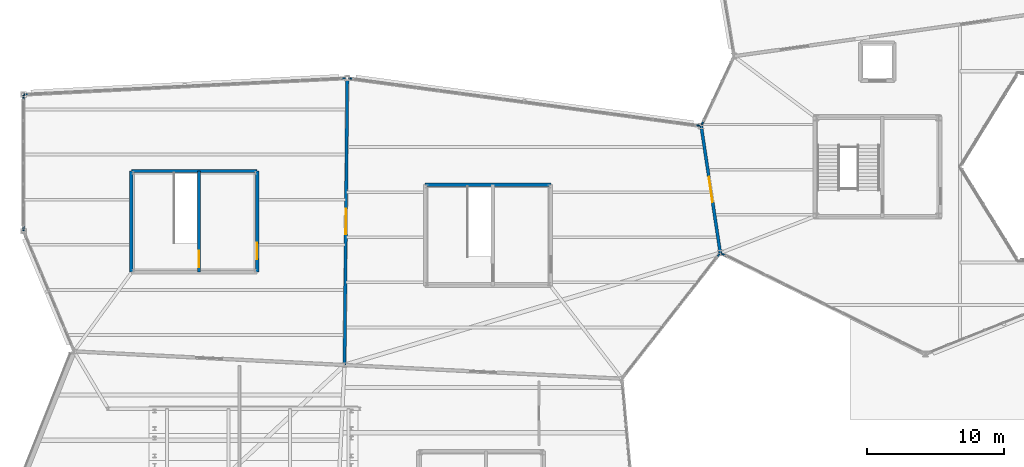
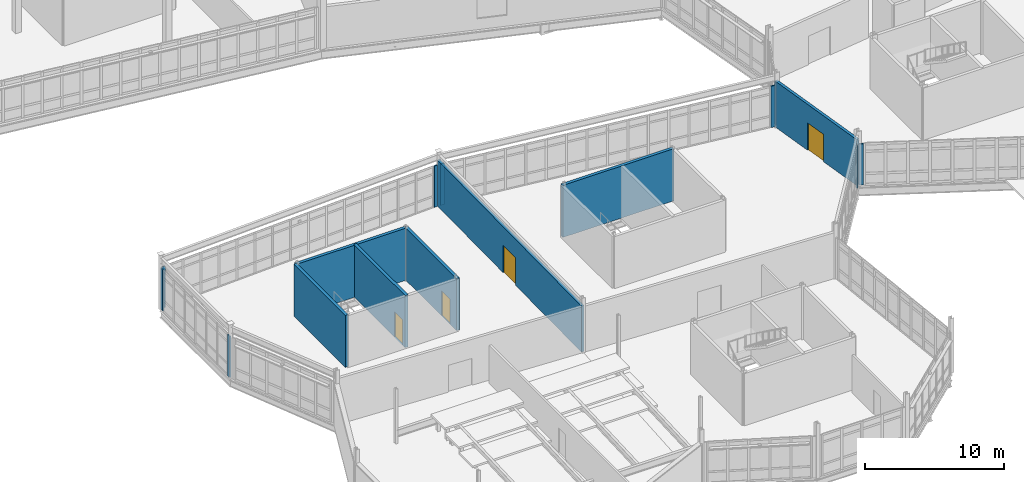
# One storey, part 106 of 134: 16 walls, 4 doors, 4 openings.
"""IFC4 building model written with IfcOpenShell, lengths in metres."""

from ifc_helpers import new_model, si_unit, direction, frame, frame_2d, origin, place, context, subcontext, project, spatial, rectangle, extrude, material, layer, layer_set, type_object, element, fill, save


model = new_model("IFC4")

# Units and contexts
model_context = context("Model", 3, precision=1e-05, world=origin(), true_north=direction((0.0, 1.0)))
body_context = subcontext(model_context, "Body", "Model", "MODEL_VIEW")
ifc_project = project(units=[si_unit("LENGTHUNIT", "METRE"), si_unit("AREAUNIT", "SQUARE_METRE"), si_unit("VOLUMEUNIT", "CUBIC_METRE"), si_unit("PLANEANGLEUNIT", "RADIAN"), si_unit("MASSUNIT", "GRAM", prefix="KILO")], contexts=[model_context])

# Site, building, storey
site_placement = place(None, origin())
site = spatial("IfcSite", under=ifc_project, at=site_placement, CompositionType="ELEMENT")
building_placement = place(site_placement, origin())
building = spatial("IfcBuilding", under=site, at=building_placement, Name="Tameran Prism Museum", CompositionType="ELEMENT")
storey_placement = place(building_placement, frame((0.0, 0.0, 5.39990234375)))
storey = spatial("IfcBuildingStorey", under=building, at=storey_placement, Name="L01", CompositionType="ELEMENT", Elevation=5.39990234375)

# Walls
ifc_material_1 = material(Name="Precast Concrete N40 (40 MPa)", Category="concrete")
ifc_layer_1 = layer(ifc_material_1, 0.094970703125)
ifc_layer_set_1 = layer_set([ifc_layer_1])
wall_type_1 = type_object("IfcWallType", Name="EW-CLOS-095", PredefinedType="SOLIDWALL", material=ifc_layer_set_1)
wall_1_placement = place(storey_placement, frame((51.367919921875, 30.01806640625, 0.0), z_axis=(0.0, 0.0, 1.0), x_axis=(-0.896952807524, 0.44212629539, 0.0)))
element("IfcWall", 1, at=wall_1_placement, inside=storey, type_object=wall_type_1, Name="Facade Corner Closure EW-0186", PredefinedType="SOLIDWALL", context=body_context, shape_type="SweptSolid", body=[
    extrude(rectangle(XDim=0.3076171875, YDim=0.094970703125, at=frame_2d((0.15380859375, 0.0))), origin(), (0.0, 0.0, 1.0), 3.6201171875),
])
wall_2_placement = place(storey_placement, frame((49.64404296875, 39.592041015625, 0.0), z_axis=(0.0, 0.0, 1.0), x_axis=(0.42457593243, 0.905392333522, 0.0)))
element("IfcWall", 2, at=wall_2_placement, inside=storey, type_object=wall_type_1, Name="Facade Corner Closure EW-0189", PredefinedType="SOLIDWALL", context=body_context, shape_type="SweptSolid", body=[
    extrude(rectangle(XDim=0.30810546875, YDim=0.094970703125, at=frame_2d((0.154052734375, 0.0))), origin(), (0.0, 0.0, 1.0), 3.6201171875),
])
wall_3_placement = place(storey_placement, frame((0.0419921875, 41.802001953125, 0.0), z_axis=(0.0, 0.0, 1.0), x_axis=(0.998635261606, 0.052226566772, 0.0)))
element("IfcWall", 3, at=wall_3_placement, inside=storey, type_object=wall_type_1, Name="Facade Corner Closure EW-0239", PredefinedType="SOLIDWALL", context=body_context, shape_type="SweptSolid", body=[
    extrude(rectangle(XDim=0.30859375, YDim=0.094970703125, at=frame_2d((0.154296875, 0.0))), origin(), (0.0, 0.0, 1.0), 3.6201171875),
])
wall_4_placement = place(storey_placement, frame((23.2900390625, 42.97900390625, 0.0), z_axis=(0.0, 0.0, 1.0), x_axis=(0.998633100652, 0.052267870454, 0.0)))
element("IfcWall", 4, at=wall_4_placement, inside=storey, type_object=wall_type_1, Name="Facade Corner Closure EW-0240", PredefinedType="SOLIDWALL", context=body_context, shape_type="SweptSolid", body=[
    extrude(rectangle(XDim=0.308349609375, YDim=0.094970703125, at=frame_2d((0.154296875, 0.0))), origin(), (0.0, 0.0, 1.0), 3.6201171875),
])
wall_5_placement = place(storey_placement, frame((0.0, 31.842041015625, 0.0), z_axis=(0.0, 0.0, 1.0), x_axis=(0.0, 1.0, 0.0)))
element("IfcWall", 5, at=wall_5_placement, inside=storey, type_object=wall_type_1, Name="Facade Corner Closure EW-0241", PredefinedType="SOLIDWALL", context=body_context, shape_type="SweptSolid", body=[
    extrude(rectangle(XDim=0.307861328125, YDim=0.094970703125, at=frame_2d((0.15380859375, 0.0))), origin(), (0.0, 0.0, 1.0), 3.6201171875),
])
wall_6_placement = place(storey_placement, frame((0.0, 41.449951171875, 0.0), z_axis=(0.0, 0.0, 1.0), x_axis=(0.0, 1.0, 0.0)))
element("IfcWall", 6, at=wall_6_placement, inside=storey, type_object=wall_type_1, Name="Facade Corner Closure EW-0242", PredefinedType="SOLIDWALL", context=body_context, shape_type="SweptSolid", body=[
    extrude(rectangle(XDim=0.30810546875, YDim=0.094970703125, at=frame_2d((0.154052734375, 0.0))), origin(), (0.0, 0.0, 1.0), 3.6201171875),
])
wall_7_placement = place(storey_placement, frame((50.93701171875, 30.1201171875, 0.0), z_axis=(0.0, 0.0, 1.0), x_axis=(-0.615582622046, -0.788072354188, 0.0)))
element("IfcWall", 7, at=wall_7_placement, inside=storey, type_object=wall_type_1, Name="Facade Corner Closure EW-0245", PredefinedType="SOLIDWALL", context=body_context, shape_type="SweptSolid", body=[
    extrude(rectangle(XDim=0.30859375, YDim=0.094970703125, at=frame_2d((0.154296875, 0.0))), origin(), (0.0, 0.0, 1.0), 3.6201171875),
])
for number, where, z_axis, x_axis, name in (
    (8, (23.802001953125, 42.986083984375, 0.0), (0.0, 0.0, 1.0), (0.991074779294, -0.133307096014, 0.0), "Facade Corner Closure EW-0247"),
    (9, (49.194091796875, 39.554931640625, 0.0), (0.0, 0.0, 1.0), (0.991074779294, -0.133307096014, 0.0), "Facade Corner Closure EW-0248"),
):
    element("IfcWall", number, at=place(storey_placement, frame(where, z_axis=z_axis, x_axis=x_axis)), inside=storey, type_object=wall_type_1, Name=name, PredefinedType="SOLIDWALL", context=body_context, shape_type="SweptSolid", body=[
        extrude(rectangle(XDim=0.3076171875, YDim=0.094970703125, at=frame_2d((0.15380859375, 0.0))), origin(), (0.0, 0.0, 1.0), 3.6201171875),
    ])

# Wall, opening, door
ifc_material_2 = material(Name="Concrete N40 (40 MPa)", Category="concrete")
ifc_layer_2 = layer(ifc_material_2, 0.22509765625)
ifc_layer_set_2 = layer_set([ifc_layer_2])
wall_type_2 = type_object("IfcWallType", Name="IW-CMP-225", PredefinedType="SOLIDWALL", material=ifc_layer_set_2)
wall_8_placement = place(storey_placement, frame((49.60009765625, 39.5, 0.0), z_axis=(0.0, 0.0, 1.0), x_axis=(0.148849460064, -0.988859867847, 0.0)))
wall_8 = element("IfcWall", 10, at=wall_8_placement, inside=storey, type_object=wall_type_2, Name="Compartment Wall IW-0084", PredefinedType="SOLIDWALL", context=body_context, shape_type="SweptSolid", body=[
    extrude(rectangle(XDim=9.40478515625, YDim=0.22509765625, at=frame_2d((4.702392578125, 0.0))), origin(), (0.0, 0.0, 1.0), 4.02001953125),
])
opening_1_placement = place(wall_8_placement, frame((3.777099609375, 0.0, 0.0)))
opening_1 = element("IfcOpeningElement", 11, at=opening_1_placement, cuts=wall_8, Name="Opening ID-0083", PredefinedType="OPENING", context=body_context, shape_type="SweptSolid", body=[
    extrude(rectangle(XDim=1.85009765625, YDim=2.39990234375, at=frame_2d((0.925048828125, 1.199951171875))), frame((0.0, 0.12255859375, 0.0), z_axis=(0.0, -1.0, 0.0), x_axis=(1.0, 0.0, 0.0)), (0.0, 0.0, 1.0), 0.2451171875),
])
ifc_material_3 = material(Name="Fire-Rated Steel Door Leaf and Frame", Category="steel")
door_type_1 = type_object("IfcDoorType", Name="DR-GAL-185", OperationType="DOUBLE_DOOR_SINGLE_SWING", PredefinedType="DOOR", material=ifc_material_3)
door_1_placement = place(opening_1_placement, origin())
door_1 = element("IfcDoor", 12, at=door_1_placement, inside=storey, type_object=door_type_1, Name="Compartment Door ID-0083", OperationType="DOUBLE_DOOR_SINGLE_SWING", OverallHeight=2.39990234375, OverallWidth=1.85009765625, PredefinedType="DOOR", context=body_context, shape_type="SweptSolid", body=[
    extrude(rectangle(XDim=1.85009765625, YDim=2.39990234375, at=frame_2d((0.925048828125, 1.199951171875))), frame((0.0, 0.02490234375, 0.0), z_axis=(0.0, -1.0, 0.0), x_axis=(1.0, 0.0, 0.0)), (0.0, 0.0, 1.0), 0.050048828125),
])
fill(opening_1, door_1)

wall_9_placement = place(storey_placement, frame((23.5, 22.0, 0.0), z_axis=(0.0, 0.0, 1.0), x_axis=(0.009521052802, 0.99995467375, 0.0)))
wall_9 = element("IfcWall", 13, at=wall_9_placement, inside=storey, type_object=wall_type_2, Name="Compartment Wall IW-0093", PredefinedType="SOLIDWALL", context=body_context, shape_type="SweptSolid", body=[
    extrude(rectangle(XDim=21.0009765625, YDim=0.22509765625, at=frame_2d((10.50048828125, 0.0))), origin(), (0.0, 0.0, 1.0), 4.02001953125),
])
opening_2_placement = place(wall_9_placement, frame((9.574951171875, 0.0, 0.0)))
opening_2 = element("IfcOpeningElement", 14, at=opening_2_placement, cuts=wall_9, Name="Opening ID-0092", PredefinedType="OPENING", context=body_context, shape_type="SweptSolid", body=[
    extrude(rectangle(XDim=1.85009765625, YDim=2.39990234375, at=frame_2d((0.925048828125, 1.199951171875))), frame((0.0, 0.12255859375, 0.0), z_axis=(0.0, -1.0, 0.0), x_axis=(1.0, 0.0, 0.0)), (0.0, 0.0, 1.0), 0.2451171875),
])
door_2_placement = place(opening_2_placement, origin())
door_2 = element("IfcDoor", 15, at=door_2_placement, inside=storey, type_object=door_type_1, Name="Compartment Door ID-0092", OperationType="DOUBLE_DOOR_SINGLE_SWING", OverallHeight=2.39990234375, OverallWidth=1.85009765625, PredefinedType="DOOR", context=body_context, shape_type="SweptSolid", body=[
    extrude(rectangle(XDim=1.85009765625, YDim=2.39990234375, at=frame_2d((0.925048828125, 1.199951171875))), frame((0.0, 0.02490234375, 0.0), z_axis=(0.0, -1.0, 0.0), x_axis=(1.0, 0.0, 0.0)), (0.0, 0.0, 1.0), 0.050048828125),
])
fill(opening_2, door_2)

# Walls
ifc_material_4 = material(Name="Concrete N40 (40 MPa)", Category="concrete")
ifc_layer_3 = layer(ifc_material_4, 0.25)
ifc_layer_set_3 = layer_set([ifc_layer_3])
wall_type_3 = type_object("IfcWallType", Name="IW-COR-250", PredefinedType="SHEAR", material=ifc_layer_set_3)
wall_10_placement = place(storey_placement, frame((7.89990234375, 28.800048828125, 0.0), z_axis=(0.0, 0.0, 1.0), x_axis=(0.0, 1.0, 0.0)))
element("IfcWall", 16, at=wall_10_placement, inside=storey, type_object=wall_type_3, Name="Core Shear Wall CW-10-L01-W", PredefinedType="SHEAR", context=body_context, shape_type="SweptSolid", body=[
    extrude(rectangle(XDim=7.39990234375, YDim=0.25, at=frame_2d((3.699951171875, 0.0))), origin(), (0.0, 0.0, 1.0), 4.56005859375),
])
wall_11_placement = place(storey_placement, frame((7.89990234375, 36.199951171875, 0.0), z_axis=(0.0, 0.0, 1.0), x_axis=(1.0, 0.0, 0.0)))
element("IfcWall", 17, at=wall_11_placement, inside=storey, type_object=wall_type_3, Name="Core Shear Wall CW-10-L01-N", PredefinedType="SHEAR", context=body_context, shape_type="SweptSolid", body=[
    extrude(rectangle(XDim=9.2001953125, YDim=0.25, at=frame_2d((4.60009765625, 0.0))), origin(), (0.0, 0.0, 1.0), 4.56005859375),
])

# Wall, opening, door
wall_12_placement = place(storey_placement, frame((17.10009765625, 36.199951171875, 0.0), z_axis=(0.0, 0.0, 1.0), x_axis=(0.0, -1.0, 0.0)))
wall_12 = element("IfcWall", 18, at=wall_12_placement, inside=storey, type_object=wall_type_3, Name="Core Shear Wall CW-10-L01-E", PredefinedType="SHEAR", context=body_context, shape_type="SweptSolid", body=[
    extrude(rectangle(XDim=7.39990234375, YDim=0.25, at=frame_2d((3.699951171875, 0.0))), origin(), (0.0, 0.0, 1.0), 4.56005859375),
])
opening_3_placement = place(wall_12_placement, frame((5.25, 0.0, 0.0)))
opening_3 = element("IfcOpeningElement", 19, at=opening_3_placement, cuts=wall_12, Name="Opening FD-0269", PredefinedType="OPENING", context=body_context, shape_type="SweptSolid", body=[
    extrude(rectangle(XDim=1.199951171875, YDim=2.199951171875, at=frame_2d((0.60009765625, 1.10009765625))), frame((0.0, 0.135009765625, 0.0), z_axis=(0.0, -1.0, 0.0), x_axis=(1.0, 0.0, 0.0)), (0.0, 0.0, 1.0), 0.27001953125),
])
ifc_material_5 = material(Name="Fire-Rated Steel Door Leaf and Frame", Category="steel")
door_type_2 = type_object("IfcDoorType", Name="DR-FD-120A", OperationType="NOTDEFINED", PredefinedType="DOOR", material=ifc_material_5)
door_3_placement = place(opening_3_placement, origin())
door_3 = element("IfcDoor", 20, at=door_3_placement, inside=storey, type_object=door_type_2, Name="Core Fire Door FD-0269", OperationType="SINGLE_SWING_LEFT", OverallHeight=2.199951171875, OverallWidth=1.199951171875, PredefinedType="DOOR", context=body_context, shape_type="SweptSolid", body=[
    extrude(rectangle(XDim=1.199951171875, YDim=2.199951171875, at=frame_2d((0.60009765625, 1.10009765625))), frame((0.0, 0.02490234375, 0.0), z_axis=(0.0, -1.0, 0.0), x_axis=(1.0, 0.0, 0.0)), (0.0, 0.0, 1.0), 0.050048828125),
])
fill(opening_3, door_3)

wall_13_placement = place(storey_placement, frame((12.85009765625, 36.199951171875, 0.0), z_axis=(0.0, 0.0, 1.0), x_axis=(0.0, -1.0, 0.0)))
wall_13 = element("IfcWall", 21, at=wall_13_placement, inside=storey, type_object=wall_type_3, Name="Core Shear Wall CW-10-L01-M", PredefinedType="SHEAR", context=body_context, shape_type="SweptSolid", body=[
    extrude(rectangle(XDim=7.39990234375, YDim=0.25, at=frame_2d((3.699951171875, 0.0))), origin(), (0.0, 0.0, 1.0), 4.56005859375),
])
opening_4_placement = place(wall_13_placement, frame((5.85009765625, 0.0, 0.0)))
opening_4 = element("IfcOpeningElement", 22, at=opening_4_placement, cuts=wall_13, Name="Opening FD-0270", PredefinedType="OPENING", context=body_context, shape_type="SweptSolid", body=[
    extrude(rectangle(XDim=1.199951171875, YDim=2.199951171875, at=frame_2d((0.60009765625, 1.10009765625))), frame((0.0, 0.135009765625, 0.0), z_axis=(0.0, -1.0, 0.0), x_axis=(1.0, 0.0, 0.0)), (0.0, 0.0, 1.0), 0.27001953125),
])
door_4_placement = place(opening_4_placement, origin())
door_4 = element("IfcDoor", 23, at=door_4_placement, inside=storey, type_object=door_type_2, Name="Core Fire Door FD-0270", OperationType="SINGLE_SWING_RIGHT", OverallHeight=2.199951171875, OverallWidth=1.199951171875, PredefinedType="DOOR", context=body_context, shape_type="SweptSolid", body=[
    extrude(rectangle(XDim=1.199951171875, YDim=2.199951171875, at=frame_2d((0.60009765625, 1.10009765625))), frame((0.0, 0.02490234375, 0.0), z_axis=(0.0, -1.0, 0.0), x_axis=(1.0, 0.0, 0.0)), (0.0, 0.0, 1.0), 0.050048828125),
])
fill(opening_4, door_4)

# Wall
wall_14_placement = place(storey_placement, frame((29.39990234375, 35.199951171875, 0.0), z_axis=(0.0, 0.0, 1.0), x_axis=(1.0, 0.0, 0.0)))
element("IfcWall", 24, at=wall_14_placement, inside=storey, type_object=wall_type_3, Name="Core Shear Wall CW-12-L01-N", PredefinedType="SHEAR", context=body_context, shape_type="SweptSolid", body=[
    extrude(rectangle(XDim=9.2001953125, YDim=0.25, at=frame_2d((4.60009765625, 0.0))), origin(), (0.0, 0.0, 1.0), 4.56005859375),
])

save(model, "model.ifc")
